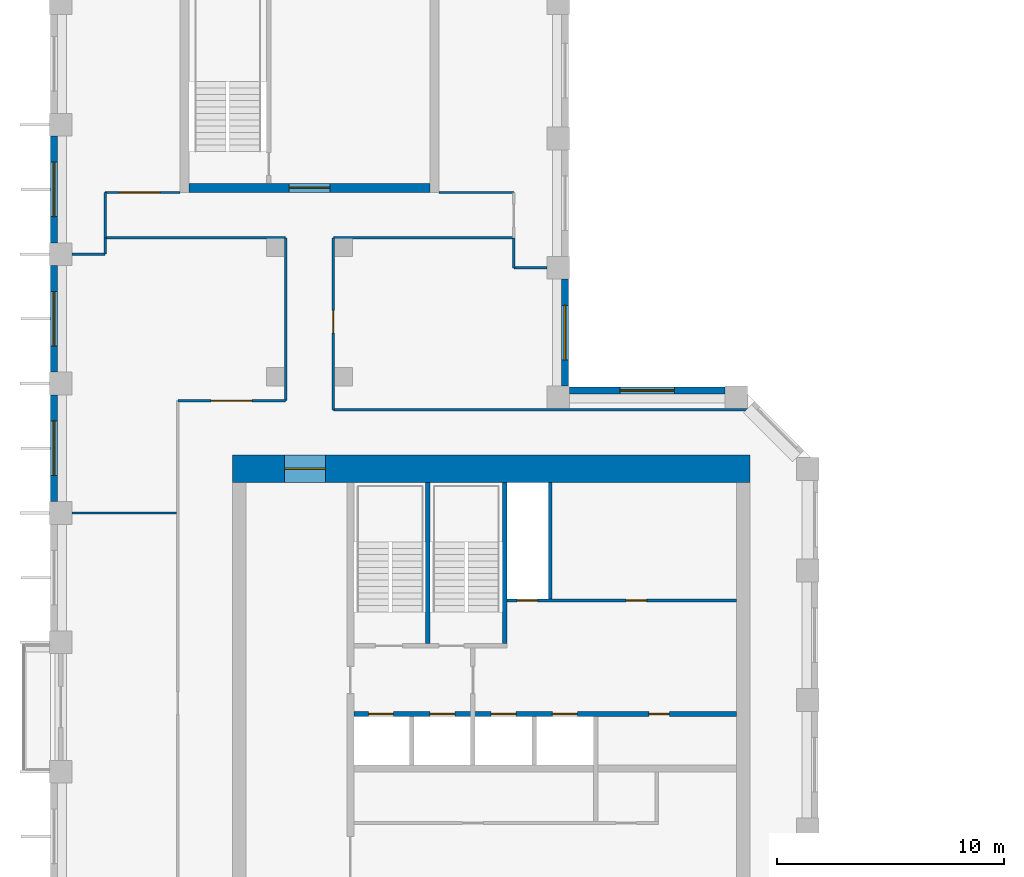
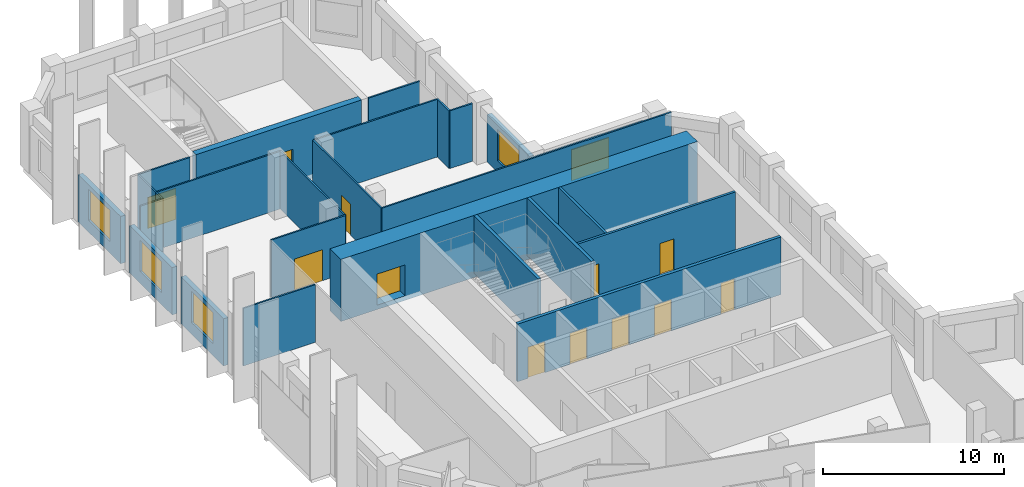
# One storey, part 6 of 9: 26 walls, 12 doors, 5 windows, 17 openings.
"""IFC4 building model written with IfcOpenShell, lengths in metres."""

import ifcopenshell
import ifcopenshell.guid

model = None  # the IFC model being written
_history = None  # IfcOwnerHistory: only IFC2X3 demands one
_inside = {}  # id of a spatial element -> (the spatial element, [elements in it])
_under = {}  # id of a project, library or spatial element -> (it, [spatial elements below it])
_declared = {}  # id of a project -> (the project, [libraries it declares])
_typed = {}  # id of a type object -> (the type object, [elements of that type])
_made_of = {}  # id of a material, layer set ... -> (it, [elements and type objects made of it])


def new_model(schema):
    """Start an empty IFC model of exactly this schema.

    Asked for "IFC4X3", IfcOpenShell would pick the latest addendum, in which some entities
    have other attributes; the version numbers below select the first issue.
    IFC2X3 requires an IfcOwnerHistory on every rooted entity: one is made here for all.
    """
    global model, _history
    if schema == "IFC4X3":
        model = ifcopenshell.file(schema_version=(4, 3, 0, 0))
    else:
        model = ifcopenshell.file(schema=schema)
    _inside.clear()
    _under.clear()
    _declared.clear()
    _typed.clear()
    _made_of.clear()
    _history = None
    if model.schema == "IFC2X3":
        org = make("IfcOrganization", Name="unknown")
        user = make(
            "IfcPersonAndOrganization",
            ThePerson=make("IfcPerson", FamilyName="unknown"),
            TheOrganization=org,
        )
        app = make(
            "IfcApplication",
            ApplicationDeveloper=org,
            Version="unknown",
            ApplicationFullName="unknown",
            ApplicationIdentifier="unknown",
        )
        _history = make(
            "IfcOwnerHistory",
            OwningUser=user,
            OwningApplication=app,
            ChangeAction="ADDED",
            CreationDate=0,
        )
    return model


def make(cls, **values):
    """One entity of the class cls with the attributes given. An attribute that is None is left unset."""
    return model.create_entity(
        cls, **{name: value for name, value in values.items() if value is not None}
    )


def rooted(cls, **values):
    """An entity with a GlobalId (a new one), such as an element, a storey or a relation."""
    return make(cls, GlobalId=ifcopenshell.guid.new(), OwnerHistory=_history, **values)


def si_unit(unit_type, name, prefix=None):
    """IfcSIUnit, for example si_unit("LENGTHUNIT", "METRE", prefix="MILLI")."""
    return make("IfcSIUnit", UnitType=unit_type, Prefix=prefix, Name=name)


def assignment(units):
    """IfcUnitAssignment: the units of a project."""
    return None if units is None else make("IfcUnitAssignment", Units=units)


def point(xyz):
    """IfcCartesianPoint."""
    return None if xyz is None else make("IfcCartesianPoint", Coordinates=xyz)


def direction(xyz):
    """IfcDirection."""
    return None if xyz is None else make("IfcDirection", DirectionRatios=xyz)


def frame(location, z_axis=None, x_axis=None):
    """IfcAxis2Placement3D, a coordinate frame: its origin and axes. An axis left out is left unset."""
    return make(
        "IfcAxis2Placement3D",
        Location=point(location),
        Axis=direction(z_axis),
        RefDirection=direction(x_axis),
    )


def frame_2d(location, x_axis=None):
    """IfcAxis2Placement2D, a coordinate frame in the plane: its origin and x axis."""
    return make(
        "IfcAxis2Placement2D", Location=point(location), RefDirection=direction(x_axis)
    )


def origin():
    """The frame at (0, 0, 0) with its axes left unset."""
    return frame((0.0, 0.0, 0.0))


def place(relative_to, where):
    """IfcLocalPlacement: puts the frame where relative to a parent placement (None: the world)."""
    return make(
        "IfcLocalPlacement", PlacementRelTo=relative_to, RelativePlacement=where
    )


def context(
    kind, dimensions, precision=None, world=None, true_north=None, identifier=None
):
    """IfcGeometricRepresentationContext, for example the 3D "Model" context."""
    return make(
        "IfcGeometricRepresentationContext",
        ContextIdentifier=identifier,
        ContextType=kind,
        CoordinateSpaceDimension=dimensions,
        Precision=precision,
        WorldCoordinateSystem=world,
        TrueNorth=true_north,
    )


def subcontext(parent, identifier, kind, view, scale=None):
    """IfcGeometricRepresentationSubContext, for example "Body" below "Model"."""
    return make(
        "IfcGeometricRepresentationSubContext",
        ContextIdentifier=identifier,
        ContextType=kind,
        ParentContext=parent,
        TargetScale=scale,
        TargetView=view,
    )


def project(units=None, contexts=None):
    """IfcProject with its units and contexts."""
    return rooted(
        "IfcProject",
        Name="project",
        RepresentationContexts=contexts,
        UnitsInContext=assignment(units),
    )


def spatial(cls, under=None, at=None, **own):
    """A site, building, storey or space (cls), placed at a placement, below another one or the project."""
    s = rooted(cls, ObjectPlacement=at, **own)
    if under is not None:
        _under.setdefault(under.id(), (under, []))[1].append(s)
    return s


def profile(cls, at=None, kind="AREA", **sizes):
    """A parametric profile (cls). Its sizes go by their IFC names, for example OverallWidth=200.0."""
    return make(cls, ProfileType=kind, Position=at, **sizes)


def rectangle(**sizes):
    """IfcRectangleProfileDef."""
    return profile("IfcRectangleProfileDef", **sizes)


def extrude(swept, where, along, depth):
    """IfcExtrudedAreaSolid: the profile swept, set in the frame where, extruded along a direction by depth."""
    return make(
        "IfcExtrudedAreaSolid",
        SweptArea=swept,
        Position=where,
        ExtrudedDirection=direction(along),
        Depth=depth,
    )


def shape(context_of_items, identifier, shape_type, items):
    """IfcShapeRepresentation: the items that make up one representation, for example the "Body"."""
    return make(
        "IfcShapeRepresentation",
        ContextOfItems=context_of_items,
        RepresentationIdentifier=identifier,
        RepresentationType=shape_type,
        Items=items,
    )


def material(Name=None, Category=None):
    """IfcMaterial."""
    return make("IfcMaterial", Name=Name, Category=Category)


def layer(
    of_material, thickness, ventilated=None, Name=None, Category=None, Priority=None
):
    """IfcMaterialLayer: one layer of a wall or slab, of a material (None: an air gap)."""
    return make(
        "IfcMaterialLayer",
        Material=of_material,
        LayerThickness=thickness,
        IsVentilated=ventilated,
        Name=Name,
        Category=Category,
        Priority=Priority,
    )


def layer_set(layers, Name=None):
    """IfcMaterialLayerSet."""
    return make("IfcMaterialLayerSet", MaterialLayers=layers, LayerSetName=Name)


def made_of(thing, what):
    """Note that an element or type object is made of a material, layer set ...; save() writes the relation."""
    if what is not None:
        _made_of.setdefault(what.id(), (what, []))[1].append(thing)
    return thing


def type_object(cls, material=None, **own):
    """A type object (cls), such as IfcWallType, which elements share."""
    return made_of(rooted(cls, **own), material)


def element(
    cls,
    number,
    at=None,
    inside=None,
    cuts=None,
    type_object=None,
    material=None,
    context=None,
    identifier="Body",
    shape_type=None,
    held_by="IfcProductDefinitionShape",
    body=None,
    shapes=None,
    **own,
):
    """One element of the class cls, such as IfcWall. Its Tag is "e" and its number.

    at: its placement. inside: the storey or other place that contains it. cuts: it is an
    opening in that element (IfcRelVoidsElement). A single representation is given by context,
    identifier, shape_type and body (its items); several are given by shapes. held_by: the class
    of the entity that holds the representations. save() writes the other relations.
    """
    e = rooted(cls, Tag="e%d" % number, ObjectPlacement=at, **own)
    if body is not None:
        shapes = [shape(context, identifier, shape_type, body)]
    if shapes is not None:
        e.Representation = make(held_by, Representations=shapes)
    if inside is not None:
        _inside.setdefault(inside.id(), (inside, []))[1].append(e)
    if cuts is not None:
        rooted(
            "IfcRelVoidsElement", RelatingBuildingElement=cuts, RelatedOpeningElement=e
        )
    if type_object is not None:
        _typed.setdefault(type_object.id(), (type_object, []))[1].append(e)
    return made_of(e, material)


def fill(opening, filler):
    """IfcRelFillsElement: the door or window that sits in an opening."""
    return rooted(
        "IfcRelFillsElement",
        RelatingOpeningElement=opening,
        RelatedBuildingElement=filler,
    )


def aggregate(whole, parts):
    """IfcRelAggregates: a whole, such as a stair, and the parts it consists of."""
    return rooted("IfcRelAggregates", RelatingObject=whole, RelatedObjects=parts)


def save(model, path):
    """Write the relations noted so far, then the file.

    IfcRelAggregates (storeys below a building ...), IfcRelContainedInSpatialStructure (elements
    in a storey), IfcRelDefinesByType, IfcRelAssociatesMaterial and IfcRelDeclares: one each for
    every whole, place, type object, material and project.
    """
    for whole, parts in _under.values():
        aggregate(whole, parts)
    for where, things in _inside.values():
        rooted(
            "IfcRelContainedInSpatialStructure",
            RelatedElements=things,
            RelatingStructure=where,
        )
    for kind, things in _typed.values():
        rooted("IfcRelDefinesByType", RelatedObjects=things, RelatingType=kind)
    for what, things in _made_of.values():
        rooted("IfcRelAssociatesMaterial", RelatedObjects=things, RelatingMaterial=what)
    for by, libraries in _declared.values():
        rooted("IfcRelDeclares", RelatingContext=by, RelatedDefinitions=libraries)
    model.write(path)


model = new_model("IFC4")

# Units and contexts
model_context = context("Model", 3, precision=1e-05, world=origin(), true_north=direction((0.0, 1.0)))
body_context = subcontext(model_context, "Body", "Model", "MODEL_VIEW")
ifc_project = project(units=[si_unit("LENGTHUNIT", "METRE"), si_unit("AREAUNIT", "SQUARE_METRE"), si_unit("VOLUMEUNIT", "CUBIC_METRE"), si_unit("PLANEANGLEUNIT", "RADIAN"), si_unit("MASSUNIT", "GRAM", prefix="KILO")], contexts=[model_context])

# Site, building, storey
site_placement = place(None, origin())
site = spatial("IfcSite", under=ifc_project, at=site_placement, CompositionType="ELEMENT")
building_placement = place(site_placement, origin())
building = spatial("IfcBuilding", under=site, at=building_placement, Name="Meshkara Civic Tower", CompositionType="ELEMENT")
storey_placement = place(building_placement, frame((0.0, 0.0, 340.199951171875)))
storey = spatial("IfcBuildingStorey", under=building, at=storey_placement, Name="L78", CompositionType="ELEMENT", Elevation=340.199951171875)

# Wall, openings, doors
ifc_material_1 = material(Name="Blockwork", Category="masonry")
ifc_layer_1 = layer(ifc_material_1, 0.14990234375)
ifc_layer_set_1 = layer_set([ifc_layer_1], Name="Core partition 150")
wall_type_1 = type_object("IfcWallType", Name="Core partition 150", PredefinedType="PARTITIONING", material=ifc_layer_set_1)
wall_1_placement = place(storey_placement, frame((20.10009765625, 30.5, 0.0), z_axis=(0.0, 0.0, 1.0), x_axis=(1.0, 0.0, 0.0)))
wall_1 = element("IfcWall", 1, at=wall_1_placement, inside=storey, type_object=wall_type_1, Name="L78-C010", PredefinedType="PARTITIONING", context=body_context, shape_type="SweptSolid", body=[
    extrude(rectangle(XDim=10.099853515625, YDim=0.14990234375, at=frame_2d((5.0498046875, 0.0))), origin(), (0.0, 0.0, 1.0), 3.900146484375),
])
opening_1_placement = place(wall_1_placement, frame((0.449951171875, 0.0, 0.0)))
opening_1 = element("IfcOpeningElement", 2, at=opening_1_placement, cuts=wall_1, Name="Opening L78-K014", PredefinedType="OPENING", context=body_context, shape_type="SweptSolid", body=[
    extrude(rectangle(XDim=0.89990234375, YDim=2.10009765625, at=frame_2d((0.449951171875, 1.050048828125))), frame((0.0, 0.0849609375, 0.0), z_axis=(0.0, -1.0, 0.0), x_axis=(1.0, 0.0, 0.0)), (0.0, 0.0, 1.0), 0.169921875),
])
opening_2_placement = place(wall_1_placement, frame((5.25, 0.0, 0.0)))
opening_2 = element("IfcOpeningElement", 3, at=opening_2_placement, cuts=wall_1, Name="Opening L78-K015", PredefinedType="OPENING", context=body_context, shape_type="SweptSolid", body=[
    extrude(rectangle(XDim=0.89990234375, YDim=2.10009765625, at=frame_2d((0.449951171875, 1.050048828125))), frame((0.0, 0.0849609375, 0.0), z_axis=(0.0, -1.0, 0.0), x_axis=(1.0, 0.0, 0.0)), (0.0, 0.0, 1.0), 0.169921875),
])
ifc_material_2 = material(Name="Timber door leaf in steel frame", Category="steel")
door_type_1 = type_object("IfcDoorType", Name="Core room door 900", OperationType="SINGLE_SWING_LEFT", PredefinedType="DOOR", material=ifc_material_2)
door_1_placement = place(opening_2_placement, origin())
door_1 = element("IfcDoor", 4, at=door_1_placement, inside=storey, type_object=door_type_1, Name="L78-K015", OperationType="SINGLE_SWING_LEFT", OverallHeight=2.10009765625, OverallWidth=0.89990234375, PredefinedType="DOOR", context=body_context, shape_type="SweptSolid", body=[
    extrude(rectangle(XDim=0.89990234375, YDim=2.10009765625, at=frame_2d((0.449951171875, 1.050048828125))), frame((0.0, 0.02490234375, 0.0), z_axis=(0.0, -1.0, 0.0), x_axis=(1.0, 0.0, 0.0)), (0.0, 0.0, 1.0), 0.050048828125),
])
fill(opening_2, door_1)
ifc_material_3 = material(Name="Fire-rated door leaf in steel frame", Category="steel")
door_type_2 = type_object("IfcDoorType", Name="Riser door 900", OperationType="SINGLE_SWING_LEFT", PredefinedType="DOOR", material=ifc_material_3)
door_2_placement = place(opening_1_placement, origin())
door_2 = element("IfcDoor", 5, at=door_2_placement, inside=storey, type_object=door_type_2, Name="L78-K014", OperationType="SINGLE_SWING_RIGHT", OverallHeight=2.10009765625, OverallWidth=0.89990234375, PredefinedType="DOOR", context=body_context, shape_type="SweptSolid", body=[
    extrude(rectangle(XDim=0.89990234375, YDim=2.10009765625, at=frame_2d((0.449951171875, 1.050048828125))), frame((0.0, 0.02490234375, 0.0), z_axis=(0.0, -1.0, 0.0), x_axis=(1.0, 0.0, 0.0)), (0.0, 0.0, 1.0), 0.050048828125),
])
fill(opening_1, door_2)

# Wall
wall_2_placement = place(storey_placement, frame((22.0, 30.574951171875, 0.0), z_axis=(0.0, 0.0, 1.0), x_axis=(0.0, 1.0, 0.0)))
element("IfcWall", 6, at=wall_2_placement, inside=storey, type_object=wall_type_1, Name="L78-C020", PredefinedType="PARTITIONING", context=body_context, shape_type="SweptSolid", body=[
    extrude(rectangle(XDim=5.125, YDim=0.14990234375, at=frame_2d((2.5625, 0.0))), origin(), (0.0, 0.0, 1.0), 3.900146484375),
])

# Wall, opening, door
ifc_material_4 = material(Name="Concrete C60", Category="concrete")
ifc_layer_2 = layer(ifc_material_4, 1.199951171875)
ifc_layer_set_2 = layer_set([ifc_layer_2], Name="Core ring wall 1200 C60")
wall_type_2 = type_object("IfcWallType", Name="Core ring wall 1200 C60", PredefinedType="SHEAR", material=ifc_layer_set_2)
wall_3_placement = place(storey_placement, frame((8.0, 36.300048828125, -0.300048828125), z_axis=(0.0, 0.0, 1.0), x_axis=(1.0, 0.0, 0.0)))
wall_3 = element("IfcWall", 7, at=wall_3_placement, inside=storey, type_object=wall_type_2, Name="L78-C002", PredefinedType="SHEAR", context=body_context, shape_type="SweptSolid", body=[
    extrude(rectangle(XDim=22.800048828125, YDim=1.199951171875, at=frame_2d((11.39990234375, 0.0))), origin(), (0.0, 0.0, 1.0), 4.2001953125),
])
opening_3_placement = place(wall_3_placement, frame((2.300048828125, 0.0, 0.300048828125)))
opening_3 = element("IfcOpeningElement", 8, at=opening_3_placement, cuts=wall_3, Name="Opening L78-K021", PredefinedType="OPENING", context=body_context, shape_type="SweptSolid", body=[
    extrude(rectangle(XDim=1.800048828125, YDim=2.10009765625, at=frame_2d((0.89990234375, 1.050048828125))), frame((0.0, 0.60986328125, 0.0), z_axis=(0.0, -1.0, 0.0), x_axis=(1.0, 0.0, 0.0)), (0.0, 0.0, 1.0), 1.219970703125),
])
ifc_material_5 = material(Name="Fire-rated door leaf in steel frame", Category="steel")
door_type_3 = type_object("IfcDoorType", Name="Core double door 1800 EI 60", OperationType="DOUBLE_DOOR_SINGLE_SWING", PredefinedType="DOOR", material=ifc_material_5)
door_3_placement = place(opening_3_placement, origin())
door_3 = element("IfcDoor", 9, at=door_3_placement, inside=storey, type_object=door_type_3, Name="L78-K021", OperationType="DOUBLE_DOOR_SINGLE_SWING", OverallHeight=2.10009765625, OverallWidth=1.800048828125, PredefinedType="DOOR", context=body_context, shape_type="SweptSolid", body=[
    extrude(rectangle(XDim=1.800048828125, YDim=2.10009765625, at=frame_2d((0.89990234375, 1.050048828125))), frame((0.0, 0.02490234375, 0.0), z_axis=(0.0, -1.0, 0.0), x_axis=(1.0, 0.0, 0.0)), (0.0, 0.0, 1.0), 0.050048828125),
])
fill(opening_3, door_3)

# Walls
ifc_material_6 = material(Name="Corridor wall 100")
ifc_layer_3 = layer(ifc_material_6, 0.10009765625)
ifc_layer_set_3 = layer_set([ifc_layer_3], Name="Corridor wall 100")
wall_type_3 = type_object("IfcWallType", Name="Corridor wall 100", PredefinedType="PARTITIONING", material=ifc_layer_set_3)
wall_4_placement = place(storey_placement, frame((2.39990234375, 46.469970703125, 0.0), z_axis=(0.0, 0.0, 1.0), x_axis=(1.0, 0.0, 0.0)))
element("IfcWall", 10, at=wall_4_placement, inside=storey, type_object=wall_type_3, Name="L78-W001", PredefinedType="PARTITIONING", context=body_context, shape_type="SweptSolid", body=[
    extrude(rectangle(XDim=7.9501953125, YDim=0.10009765625, at=frame_2d((3.97509765625, 0.0))), origin(), (0.0, 0.0, 1.0), 3.900146484375),
])
wall_5_placement = place(storey_placement, frame((2.39990234375, 48.469970703125, 0.0), z_axis=(0.0, 0.0, 1.0), x_axis=(0.0, -1.0, 0.0)))
element("IfcWall", 11, at=wall_5_placement, inside=storey, type_object=wall_type_3, Name="L78-W002", PredefinedType="PARTITIONING", context=body_context, shape_type="SweptSolid", body=[
    extrude(rectangle(XDim=2.0, YDim=0.10009765625, at=frame_2d((1.0, 0.0))), origin(), (0.0, 0.0, 1.0), 3.900146484375),
])

# Wall, opening, door
wall_6_placement = place(storey_placement, frame((5.699951171875, 48.469970703125, 0.0), z_axis=(0.0, 0.0, 1.0), x_axis=(-1.0, 0.0, 0.0)))
wall_6 = element("IfcWall", 12, at=wall_6_placement, inside=storey, type_object=wall_type_3, Name="L78-W005", PredefinedType="PARTITIONING", context=body_context, shape_type="SweptSolid", body=[
    extrude(rectangle(XDim=3.300048828125, YDim=0.10009765625, at=frame_2d((1.64990234375, 0.0))), origin(), (0.0, 0.0, 1.0), 3.900146484375),
])
opening_4_placement = place(wall_6_placement, frame((0.8798828125, 0.0, 0.0)))
opening_4 = element("IfcOpeningElement", 13, at=opening_4_placement, cuts=wall_6, Name="Opening L78-D018", PredefinedType="OPENING", context=body_context, shape_type="SweptSolid", body=[
    extrude(rectangle(XDim=1.800048828125, YDim=2.10009765625, at=frame_2d((0.89990234375, 1.050048828125))), frame((0.0, 0.06005859375, 0.0), z_axis=(0.0, -1.0, 0.0), x_axis=(1.0, 0.0, 0.0)), (0.0, 0.0, 1.0), 0.1201171875),
])
ifc_material_7 = material(Name="Door pair 1800 x 2100")
door_type_4 = type_object("IfcDoorType", Name="Door pair 1800 x 2100", OperationType="SINGLE_SWING_LEFT", PredefinedType="DOOR", material=ifc_material_7)
door_4_placement = place(opening_4_placement, origin())
door_4 = element("IfcDoor", 14, at=door_4_placement, inside=storey, type_object=door_type_4, Name="L78-D018", OperationType="DOUBLE_DOOR_SINGLE_SWING", OverallHeight=2.10009765625, OverallWidth=1.800048828125, PredefinedType="DOOR", context=body_context, shape_type="SweptSolid", body=[
    extrude(rectangle(XDim=1.800048828125, YDim=2.10009765625, at=frame_2d((0.89990234375, 1.050048828125))), frame((0.0, 0.02490234375, 0.0), z_axis=(0.0, -1.0, 0.0), x_axis=(1.0, 0.0, 0.0)), (0.0, 0.0, 1.0), 0.050048828125),
])
fill(opening_4, door_4)

wall_7_placement = place(storey_placement, frame((10.35009765625, 39.300048828125, 0.0), z_axis=(0.0, 0.0, 1.0), x_axis=(-1.0, 0.0, 0.0)))
wall_7 = element("IfcWall", 15, at=wall_7_placement, inside=storey, type_object=wall_type_3, Name="L78-W011", PredefinedType="PARTITIONING", context=body_context, shape_type="SweptSolid", body=[
    extrude(rectangle(XDim=4.75, YDim=0.10009765625, at=frame_2d((2.375, 0.0))), origin(), (0.0, 0.0, 1.0), 3.900146484375),
])
opening_5_placement = place(wall_7_placement, frame((1.47998046875, 0.0, 0.0)))
opening_5 = element("IfcOpeningElement", 16, at=opening_5_placement, cuts=wall_7, Name="Opening L78-D015", PredefinedType="OPENING", context=body_context, shape_type="SweptSolid", body=[
    extrude(rectangle(XDim=1.800048828125, YDim=2.10009765625, at=frame_2d((0.89990234375, 1.050048828125))), frame((0.0, 0.06005859375, 0.0), z_axis=(0.0, -1.0, 0.0), x_axis=(1.0, 0.0, 0.0)), (0.0, 0.0, 1.0), 0.1201171875),
])
door_5_placement = place(opening_5_placement, origin())
door_5 = element("IfcDoor", 17, at=door_5_placement, inside=storey, type_object=door_type_4, Name="L78-D015", OperationType="DOUBLE_DOOR_SINGLE_SWING", OverallHeight=2.10009765625, OverallWidth=1.800048828125, PredefinedType="DOOR", context=body_context, shape_type="SweptSolid", body=[
    extrude(rectangle(XDim=1.800048828125, YDim=2.10009765625, at=frame_2d((0.89990234375, 1.050048828125))), frame((0.0, 0.02490234375, 0.0), z_axis=(0.0, -1.0, 0.0), x_axis=(1.0, 0.0, 0.0)), (0.0, 0.0, 1.0), 0.050048828125),
])
fill(opening_5, door_5)

# Wall
wall_8_placement = place(storey_placement, frame((10.35009765625, 46.469970703125, 0.0), z_axis=(0.0, 0.0, 1.0), x_axis=(0.0, -1.0, 0.0)))
element("IfcWall", 18, at=wall_8_placement, inside=storey, type_object=wall_type_3, Name="L78-W012", PredefinedType="PARTITIONING", context=body_context, shape_type="SweptSolid", body=[
    extrude(rectangle(XDim=7.169921875, YDim=0.10009765625, at=frame_2d((3.5849609375, 0.0))), origin(), (0.0, 0.0, 1.0), 3.900146484375),
])

# Wall, opening, door
wall_9_placement = place(storey_placement, frame((12.449951171875, 38.89990234375, 0.0), z_axis=(0.0, 0.0, 1.0), x_axis=(0.0, 1.0, 0.0)))
wall_9 = element("IfcWall", 19, at=wall_9_placement, inside=storey, type_object=wall_type_3, Name="L78-W013", PredefinedType="PARTITIONING", context=body_context, shape_type="SweptSolid", body=[
    extrude(rectangle(XDim=7.570068359375, YDim=0.10009765625, at=frame_2d((3.78515625, 0.0))), origin(), (0.0, 0.0, 1.0), 3.900146484375),
])
opening_6_placement = place(wall_9_placement, frame((3.3798828125, 0.0, 0.0)))
opening_6 = element("IfcOpeningElement", 20, at=opening_6_placement, cuts=wall_9, Name="Opening L78-D016", PredefinedType="OPENING", context=body_context, shape_type="SweptSolid", body=[
    extrude(rectangle(XDim=1.0, YDim=2.10009765625, at=frame_2d((0.5, 1.050048828125))), frame((0.0, 0.06005859375, 0.0), z_axis=(0.0, -1.0, 0.0), x_axis=(1.0, 0.0, 0.0)), (0.0, 0.0, 1.0), 0.1201171875),
])
ifc_material_8 = material(Name="Door 1000 x 2100")
door_type_5 = type_object("IfcDoorType", Name="Door 1000 x 2100", OperationType="SINGLE_SWING_LEFT", PredefinedType="DOOR", material=ifc_material_8)
door_6_placement = place(opening_6_placement, origin())
door_6 = element("IfcDoor", 21, at=door_6_placement, inside=storey, type_object=door_type_5, Name="L78-D016", OperationType="SINGLE_SWING_LEFT", OverallHeight=2.10009765625, OverallWidth=1.0, PredefinedType="DOOR", context=body_context, shape_type="SweptSolid", body=[
    extrude(rectangle(XDim=1.0, YDim=2.10009765625, at=frame_2d((0.5, 1.050048828125))), frame((0.0, 0.02490234375, 0.0), z_axis=(0.0, -1.0, 0.0), x_axis=(1.0, 0.0, 0.0)), (0.0, 0.0, 1.0), 0.050048828125),
])
fill(opening_6, door_6)

# Walls
wall_10_placement = place(storey_placement, frame((12.449951171875, 46.469970703125, 0.0), z_axis=(0.0, 0.0, 1.0), x_axis=(1.0, 0.0, 0.0)))
element("IfcWall", 22, at=wall_10_placement, inside=storey, type_object=wall_type_3, Name="L78-W014", PredefinedType="PARTITIONING", context=body_context, shape_type="SweptSolid", body=[
    extrude(rectangle(XDim=7.949951171875, YDim=0.10009765625, at=frame_2d((3.97509765625, 0.0))), origin(), (0.0, 0.0, 1.0), 3.900146484375),
])
wall_11_placement = place(storey_placement, frame((20.39990234375, 48.469970703125, 0.0), z_axis=(0.0, 0.0, 1.0), x_axis=(-1.0, 0.0, 0.0)))
element("IfcWall", 23, at=wall_11_placement, inside=storey, type_object=wall_type_3, Name="L78-W019", PredefinedType="PARTITIONING", context=body_context, shape_type="SweptSolid", body=[
    extrude(rectangle(XDim=3.2998046875, YDim=0.10009765625, at=frame_2d((1.64990234375, 0.0))), origin(), (0.0, 0.0, 1.0), 3.900146484375),
])
wall_12_placement = place(storey_placement, frame((30.9560546875, 38.89990234375, 0.0), z_axis=(0.0, 0.0, 1.0), x_axis=(-1.0, 0.0, 0.0)))
element("IfcWall", 24, at=wall_12_placement, inside=storey, type_object=wall_type_3, Name="L78-W023", PredefinedType="PARTITIONING", context=body_context, shape_type="SweptSolid", body=[
    extrude(rectangle(XDim=18.506103515625, YDim=0.10009765625, at=frame_2d((9.2529296875, 0.0))), origin(), (0.0, 0.0, 1.0), 3.900146484375),
])

# Wall, opening, window
ifc_material_9 = material(Name="Insulated infill panel with bronze anodised aluminium cladding", Category="aluminium")
ifc_layer_4 = layer(ifc_material_9, 0.300048828125)
ifc_layer_set_4 = layer_set([ifc_layer_4], Name="EXTERNAL INFILL WALL 300")
wall_type_4 = type_object("IfcWallType", Name="EXTERNAL INFILL WALL 300", PredefinedType="SOLIDWALL", material=ifc_layer_set_4)
wall_13_placement = place(storey_placement, frame((29.694091796875, 39.75, 0.0), z_axis=(0.0, 0.0, 1.0), x_axis=(-1.0, 0.0, 0.0)))
wall_13 = element("IfcWall", 25, at=wall_13_placement, inside=storey, type_object=wall_type_4, Name="External wall", PredefinedType="SOLIDWALL", context=body_context, shape_type="SweptSolid", body=[
    extrude(rectangle(XDim=6.843994140625, YDim=0.300048828125, at=frame_2d((3.421875, 0.0))), origin(), (0.0, 0.0, 1.0), 3.199951171875),
])
opening_7_placement = place(wall_13_placement, frame((2.221923828125, 0.0, 0.800048828125)))
opening_7 = element("IfcOpeningElement", 26, at=opening_7_placement, cuts=wall_13, Name="Opening W7", PredefinedType="OPENING", context=body_context, shape_type="SweptSolid", body=[
    extrude(rectangle(XDim=2.39990234375, YDim=2.10009765625, at=frame_2d((1.199951171875, 1.050048828125))), frame((0.0, 0.159912109375, 0.0), z_axis=(0.0, -1.0, 0.0), x_axis=(1.0, 0.0, 0.0)), (0.0, 0.0, 1.0), 0.320068359375),
])
ifc_material_10 = material(Name="Tinted double glazing", Category="glass")
window_type = type_object("IfcWindowType", Name="WINDOW 2400x2100", PartitioningType="DOUBLE_PANEL_VERTICAL", PredefinedType="WINDOW", material=ifc_material_10)
window_1_placement = place(opening_7_placement, origin())
window_1 = element("IfcWindow", 27, at=window_1_placement, inside=storey, type_object=window_type, Name="Window", OverallHeight=2.10009765625, OverallWidth=2.39990234375, PartitioningType="DOUBLE_PANEL_VERTICAL", PredefinedType="WINDOW", context=body_context, shape_type="SweptSolid", body=[
    extrude(rectangle(XDim=2.39990234375, YDim=2.10009765625, at=frame_2d((1.199951171875, 1.050048828125))), frame((0.0, 0.030029296875, 0.0), z_axis=(0.0, -1.0, 0.0), x_axis=(1.0, 0.0, 0.0)), (0.0, 0.0, 1.0), 0.06005859375),
])
fill(opening_7, window_1)

wall_14_placement = place(storey_placement, frame((22.64990234375, 39.949951171875, 0.0), z_axis=(0.0, 0.0, 1.0), x_axis=(0.0, 1.0, 0.0)))
wall_14 = element("IfcWall", 28, at=wall_14_placement, inside=storey, type_object=wall_type_4, Name="External wall", PredefinedType="SOLIDWALL", context=body_context, shape_type="SweptSolid", body=[
    extrude(rectangle(XDim=4.699951171875, YDim=0.300048828125, at=frame_2d((2.35009765625, 0.0))), origin(), (0.0, 0.0, 1.0), 3.199951171875),
])
opening_8_placement = place(wall_14_placement, frame((1.14990234375, 0.0, 0.800048828125)))
opening_8 = element("IfcOpeningElement", 29, at=opening_8_placement, cuts=wall_14, Name="Opening W7", PredefinedType="OPENING", context=body_context, shape_type="SweptSolid", body=[
    extrude(rectangle(XDim=2.39990234375, YDim=2.10009765625, at=frame_2d((1.199951171875, 1.050048828125))), frame((0.0, 0.159912109375, 0.0), z_axis=(0.0, -1.0, 0.0), x_axis=(1.0, 0.0, 0.0)), (0.0, 0.0, 1.0), 0.320068359375),
])
window_2_placement = place(opening_8_placement, origin())
window_2 = element("IfcWindow", 30, at=window_2_placement, inside=storey, type_object=window_type, Name="Window", OverallHeight=2.10009765625, OverallWidth=2.39990234375, PartitioningType="DOUBLE_PANEL_VERTICAL", PredefinedType="WINDOW", context=body_context, shape_type="SweptSolid", body=[
    extrude(rectangle(XDim=2.39990234375, YDim=2.10009765625, at=frame_2d((1.199951171875, 1.050048828125))), frame((0.0, 0.030029296875, 0.0), z_axis=(0.0, -1.0, 0.0), x_axis=(1.0, 0.0, 0.0)), (0.0, 0.0, 1.0), 0.06005859375),
])
fill(opening_8, window_2)

wall_15_placement = place(storey_placement, frame((0.14990234375, 50.955078125, 0.0), z_axis=(0.0, 0.0, 1.0), x_axis=(0.0, -1.0, 0.0)))
wall_15 = element("IfcWall", 31, at=wall_15_placement, inside=storey, type_object=wall_type_4, Name="External wall", PredefinedType="SOLIDWALL", context=body_context, shape_type="SweptSolid", body=[
    extrude(rectangle(XDim=4.7001953125, YDim=0.300048828125, at=frame_2d((2.35009765625, 0.0))), origin(), (0.0, 0.0, 1.0), 3.199951171875),
])
opening_9_placement = place(wall_15_placement, frame((1.14990234375, 0.0, 0.800048828125)))
opening_9 = element("IfcOpeningElement", 32, at=opening_9_placement, cuts=wall_15, Name="Opening W7", PredefinedType="OPENING", context=body_context, shape_type="SweptSolid", body=[
    extrude(rectangle(XDim=2.39990234375, YDim=2.10009765625, at=frame_2d((1.199951171875, 1.050048828125))), frame((0.0, 0.159912109375, 0.0), z_axis=(0.0, -1.0, 0.0), x_axis=(1.0, 0.0, 0.0)), (0.0, 0.0, 1.0), 0.320068359375),
])
window_3_placement = place(opening_9_placement, origin())
window_3 = element("IfcWindow", 33, at=window_3_placement, inside=storey, type_object=window_type, Name="Window", OverallHeight=2.10009765625, OverallWidth=2.39990234375, PartitioningType="DOUBLE_PANEL_VERTICAL", PredefinedType="WINDOW", context=body_context, shape_type="SweptSolid", body=[
    extrude(rectangle(XDim=2.39990234375, YDim=2.10009765625, at=frame_2d((1.199951171875, 1.050048828125))), frame((0.0, 0.030029296875, 0.0), z_axis=(0.0, -1.0, 0.0), x_axis=(1.0, 0.0, 0.0)), (0.0, 0.0, 1.0), 0.06005859375),
])
fill(opening_9, window_3)

wall_16_placement = place(storey_placement, frame((0.14990234375, 45.2548828125, 0.0), z_axis=(0.0, 0.0, 1.0), x_axis=(0.0, -1.0, 0.0)))
wall_16 = element("IfcWall", 34, at=wall_16_placement, inside=storey, type_object=wall_type_4, Name="External wall", PredefinedType="SOLIDWALL", context=body_context, shape_type="SweptSolid", body=[
    extrude(rectangle(XDim=4.699951171875, YDim=0.300048828125, at=frame_2d((2.35009765625, 0.0))), origin(), (0.0, 0.0, 1.0), 3.199951171875),
])
opening_10_placement = place(wall_16_placement, frame((1.14990234375, 0.0, 0.800048828125)))
opening_10 = element("IfcOpeningElement", 35, at=opening_10_placement, cuts=wall_16, Name="Opening W7", PredefinedType="OPENING", context=body_context, shape_type="SweptSolid", body=[
    extrude(rectangle(XDim=2.39990234375, YDim=2.10009765625, at=frame_2d((1.199951171875, 1.050048828125))), frame((0.0, 0.159912109375, 0.0), z_axis=(0.0, -1.0, 0.0), x_axis=(1.0, 0.0, 0.0)), (0.0, 0.0, 1.0), 0.320068359375),
])
window_4_placement = place(opening_10_placement, origin())
window_4 = element("IfcWindow", 36, at=window_4_placement, inside=storey, type_object=window_type, Name="Window", OverallHeight=2.10009765625, OverallWidth=2.39990234375, PartitioningType="DOUBLE_PANEL_VERTICAL", PredefinedType="WINDOW", context=body_context, shape_type="SweptSolid", body=[
    extrude(rectangle(XDim=2.39990234375, YDim=2.10009765625, at=frame_2d((1.199951171875, 1.050048828125))), frame((0.0, 0.030029296875, 0.0), z_axis=(0.0, -1.0, 0.0), x_axis=(1.0, 0.0, 0.0)), (0.0, 0.0, 1.0), 0.06005859375),
])
fill(opening_10, window_4)

wall_17_placement = place(storey_placement, frame((0.14990234375, 39.554931640625, 0.0), z_axis=(0.0, 0.0, 1.0), x_axis=(0.0, -1.0, 0.0)))
wall_17 = element("IfcWall", 37, at=wall_17_placement, inside=storey, type_object=wall_type_4, Name="External wall", PredefinedType="SOLIDWALL", context=body_context, shape_type="SweptSolid", body=[
    extrude(rectangle(XDim=4.699951171875, YDim=0.300048828125, at=frame_2d((2.35009765625, 0.0))), origin(), (0.0, 0.0, 1.0), 3.199951171875),
])
opening_11_placement = place(wall_17_placement, frame((1.14990234375, 0.0, 0.800048828125)))
opening_11 = element("IfcOpeningElement", 38, at=opening_11_placement, cuts=wall_17, Name="Opening W7", PredefinedType="OPENING", context=body_context, shape_type="SweptSolid", body=[
    extrude(rectangle(XDim=2.39990234375, YDim=2.10009765625, at=frame_2d((1.199951171875, 1.050048828125))), frame((0.0, 0.159912109375, 0.0), z_axis=(0.0, -1.0, 0.0), x_axis=(1.0, 0.0, 0.0)), (0.0, 0.0, 1.0), 0.320068359375),
])
window_5_placement = place(opening_11_placement, origin())
window_5 = element("IfcWindow", 39, at=window_5_placement, inside=storey, type_object=window_type, Name="Window", OverallHeight=2.10009765625, OverallWidth=2.39990234375, PartitioningType="DOUBLE_PANEL_VERTICAL", PredefinedType="WINDOW", context=body_context, shape_type="SweptSolid", body=[
    extrude(rectangle(XDim=2.39990234375, YDim=2.10009765625, at=frame_2d((1.199951171875, 1.050048828125))), frame((0.0, 0.030029296875, 0.0), z_axis=(0.0, -1.0, 0.0), x_axis=(1.0, 0.0, 0.0)), (0.0, 0.0, 1.0), 0.06005859375),
])
fill(opening_11, window_5)

# Wall, opening, door
ifc_material_11 = material(Name="Concrete C60", Category="concrete")
ifc_layer_5 = layer(ifc_material_11, 0.39990234375)
ifc_layer_set_5 = layer_set([ifc_layer_5], Name="End core ring wall 400 C60")
wall_type_5 = type_object("IfcWallType", Name="End core ring wall 400 C60", PredefinedType="SHEAR", material=ifc_layer_set_5)
wall_18_placement = place(storey_placement, frame((6.10009765625, 48.669921875, -0.300048828125), z_axis=(0.0, 0.0, 1.0), x_axis=(1.0, 0.0, 0.0)))
wall_18 = element("IfcWall", 40, at=wall_18_placement, inside=storey, type_object=wall_type_5, Name="L78-C028", PredefinedType="SHEAR", context=body_context, shape_type="SweptSolid", body=[
    extrude(rectangle(XDim=10.599853515625, YDim=0.39990234375, at=frame_2d((5.2998046875, 0.0))), origin(), (0.0, 0.0, 1.0), 4.2001953125),
])
opening_12_placement = place(wall_18_placement, frame((4.39990234375, 0.0, 0.300048828125)))
opening_12 = element("IfcOpeningElement", 41, at=opening_12_placement, cuts=wall_18, Name="Opening L78-K102", PredefinedType="OPENING", context=body_context, shape_type="SweptSolid", body=[
    extrude(rectangle(XDim=1.800048828125, YDim=2.10009765625, at=frame_2d((0.89990234375, 1.050048828125))), frame((0.0, 0.2099609375, 0.0), z_axis=(0.0, -1.0, 0.0), x_axis=(1.0, 0.0, 0.0)), (0.0, 0.0, 1.0), 0.419921875),
])
door_7_placement = place(opening_12_placement, origin())
door_7 = element("IfcDoor", 42, at=door_7_placement, inside=storey, type_object=door_type_3, Name="L78-K102", OperationType="DOUBLE_DOOR_SINGLE_SWING", OverallHeight=2.10009765625, OverallWidth=1.800048828125, PredefinedType="DOOR", context=body_context, shape_type="SweptSolid", body=[
    extrude(rectangle(XDim=1.800048828125, YDim=2.10009765625, at=frame_2d((0.89990234375, 1.050048828125))), frame((0.0, 0.02490234375, 0.0), z_axis=(0.0, -1.0, 0.0), x_axis=(1.0, 0.0, 0.0)), (0.0, 0.0, 1.0), 0.050048828125),
])
fill(opening_12, door_7)

# Walls
ifc_material_12 = material(Name="Partition 100")
ifc_layer_6 = layer(ifc_material_12, 0.10009765625)
ifc_layer_set_6 = layer_set([ifc_layer_6], Name="Partition 100")
wall_type_6 = type_object("IfcWallType", Name="Partition 100", PredefinedType="PARTITIONING", material=ifc_layer_set_6)
wall_19_placement = place(storey_placement, frame((2.39990234375, 45.7548828125, 0.0), z_axis=(0.0, 0.0, 1.0), x_axis=(-1.0, 0.0, 0.0)))
element("IfcWall", 43, at=wall_19_placement, inside=storey, type_object=wall_type_6, Name="L78-W038", PredefinedType="PARTITIONING", context=body_context, shape_type="SweptSolid", body=[
    extrude(rectangle(XDim=1.449951171875, YDim=0.10009765625, at=frame_2d((0.72509765625, 0.0))), origin(), (0.0, 0.0, 1.0), 3.900146484375),
])
wall_20_placement = place(storey_placement, frame((2.39990234375, 46.47412109375, 0.0), z_axis=(0.0, 0.0, 1.0), x_axis=(0.0, -1.0, 0.0)))
element("IfcWall", 44, at=wall_20_placement, inside=storey, type_object=wall_type_6, Name="L78-W039", PredefinedType="PARTITIONING", context=body_context, shape_type="SweptSolid", body=[
    extrude(rectangle(XDim=0.71923828125, YDim=0.10009765625, at=frame_2d((0.359619140625, 0.0))), origin(), (0.0, 0.0, 1.0), 3.900146484375),
])
wall_21_placement = place(storey_placement, frame((5.550048828125, 34.35498046875, 0.0), z_axis=(0.0, 0.0, 1.0), x_axis=(-1.0, 0.0, 0.0)))
element("IfcWall", 45, at=wall_21_placement, inside=storey, type_object=wall_type_6, Name="L78-W041", PredefinedType="PARTITIONING", context=body_context, shape_type="SweptSolid", body=[
    extrude(rectangle(XDim=4.60009765625, YDim=0.10009765625, at=frame_2d((2.300048828125, 0.0))), origin(), (0.0, 0.0, 1.0), 3.900146484375),
])
wall_22_placement = place(storey_placement, frame((20.39990234375, 45.14990234375, 0.0), z_axis=(0.0, 0.0, 1.0), x_axis=(0.0, 1.0, 0.0)))
element("IfcWall", 46, at=wall_22_placement, inside=storey, type_object=wall_type_6, Name="L78-W049", PredefinedType="PARTITIONING", context=body_context, shape_type="SweptSolid", body=[
    extrude(rectangle(XDim=1.32421875, YDim=0.10009765625, at=frame_2d((0.662109375, 0.0))), origin(), (0.0, 0.0, 1.0), 3.900146484375),
])
wall_23_placement = place(storey_placement, frame((21.85009765625, 45.14990234375, 0.0), z_axis=(0.0, 0.0, 1.0), x_axis=(-1.0, 0.0, 0.0)))
element("IfcWall", 47, at=wall_23_placement, inside=storey, type_object=wall_type_6, Name="L78-W050", PredefinedType="PARTITIONING", context=body_context, shape_type="SweptSolid", body=[
    extrude(rectangle(XDim=1.4501953125, YDim=0.10009765625, at=frame_2d((0.72509765625, 0.0))), origin(), (0.0, 0.0, 1.0), 3.900146484375),
])

# Wall, openings, doors
ifc_material_13 = material(Name="Concrete C40/50", Category="concrete")
ifc_layer_7 = layer(ifc_material_13, 0.199951171875)
ifc_layer_set_7 = layer_set([ifc_layer_7], Name="Shaft wall 200 C40/50")
wall_type_7 = type_object("IfcWallType", Name="Shaft wall 200 C40/50", PredefinedType="SOLIDWALL", material=ifc_layer_set_7)
wall_24_placement = place(storey_placement, frame((13.35009765625, 25.5, 0.0), z_axis=(0.0, 0.0, 1.0), x_axis=(1.0, 0.0, 0.0)))
wall_24 = element("IfcWall", 48, at=wall_24_placement, inside=storey, type_object=wall_type_7, Name="L78-C008", PredefinedType="SOLIDWALL", context=body_context, shape_type="SweptSolid", body=[
    extrude(rectangle(XDim=16.849853515625, YDim=0.199951171875, at=frame_2d((8.4248046875, 0.0))), origin(), (0.0, 0.0, 1.0), 3.900146484375),
])
opening_13_placement = place(wall_24_placement, frame((0.64990234375, 0.0, 0.0)))
opening_13 = element("IfcOpeningElement", 49, at=opening_13_placement, cuts=wall_24, Name="Opening L78-K005", PredefinedType="OPENING", context=body_context, shape_type="SweptSolid", body=[
    extrude(rectangle(XDim=1.10009765625, YDim=2.10009765625, at=frame_2d((0.550048828125, 1.050048828125))), frame((0.0, 0.10986328125, 0.0), z_axis=(0.0, -1.0, 0.0), x_axis=(1.0, 0.0, 0.0)), (0.0, 0.0, 1.0), 0.219970703125),
])
opening_14_placement = place(wall_24_placement, frame((3.35009765625, 0.0, 0.0)))
opening_14 = element("IfcOpeningElement", 50, at=opening_14_placement, cuts=wall_24, Name="Opening L78-K006", PredefinedType="OPENING", context=body_context, shape_type="SweptSolid", body=[
    extrude(rectangle(XDim=1.10009765625, YDim=2.10009765625, at=frame_2d((0.550048828125, 1.050048828125))), frame((0.0, 0.10986328125, 0.0), z_axis=(0.0, -1.0, 0.0), x_axis=(1.0, 0.0, 0.0)), (0.0, 0.0, 1.0), 0.219970703125),
])
opening_15_placement = place(wall_24_placement, frame((6.050048828125, 0.0, 0.0)))
opening_15 = element("IfcOpeningElement", 51, at=opening_15_placement, cuts=wall_24, Name="Opening L78-K007", PredefinedType="OPENING", context=body_context, shape_type="SweptSolid", body=[
    extrude(rectangle(XDim=1.10009765625, YDim=2.10009765625, at=frame_2d((0.550048828125, 1.050048828125))), frame((0.0, 0.10986328125, 0.0), z_axis=(0.0, -1.0, 0.0), x_axis=(1.0, 0.0, 0.0)), (0.0, 0.0, 1.0), 0.219970703125),
])
opening_16_placement = place(wall_24_placement, frame((8.75, 0.0, 0.0)))
opening_16 = element("IfcOpeningElement", 52, at=opening_16_placement, cuts=wall_24, Name="Opening L78-K008", PredefinedType="OPENING", context=body_context, shape_type="SweptSolid", body=[
    extrude(rectangle(XDim=1.10009765625, YDim=2.10009765625, at=frame_2d((0.550048828125, 1.050048828125))), frame((0.0, 0.10986328125, 0.0), z_axis=(0.0, -1.0, 0.0), x_axis=(1.0, 0.0, 0.0)), (0.0, 0.0, 1.0), 0.219970703125),
])
opening_17_placement = place(wall_24_placement, frame((13.0, 0.0, 0.0)))
opening_17 = element("IfcOpeningElement", 53, at=opening_17_placement, cuts=wall_24, Name="Opening L78-K013", PredefinedType="OPENING", context=body_context, shape_type="SweptSolid", body=[
    extrude(rectangle(XDim=0.89990234375, YDim=2.10009765625, at=frame_2d((0.449951171875, 1.050048828125))), frame((0.0, 0.10986328125, 0.0), z_axis=(0.0, -1.0, 0.0), x_axis=(1.0, 0.0, 0.0)), (0.0, 0.0, 1.0), 0.219970703125),
])
door_8_placement = place(opening_17_placement, origin())
door_8 = element("IfcDoor", 54, at=door_8_placement, inside=storey, type_object=door_type_1, Name="L78-K013", OperationType="SINGLE_SWING_LEFT", OverallHeight=2.10009765625, OverallWidth=0.89990234375, PredefinedType="DOOR", context=body_context, shape_type="SweptSolid", body=[
    extrude(rectangle(XDim=0.89990234375, YDim=2.10009765625, at=frame_2d((0.449951171875, 1.050048828125))), frame((0.0, 0.02490234375, 0.0), z_axis=(0.0, -1.0, 0.0), x_axis=(1.0, 0.0, 0.0)), (0.0, 0.0, 1.0), 0.050048828125),
])
fill(opening_17, door_8)
ifc_material_14 = material(Name="Stainless steel landing door", Category="steel")
door_type_6 = type_object("IfcDoorType", Name="Lift landing door 1100", OperationType="SLIDING_TO_LEFT", PredefinedType="DOOR", material=ifc_material_14)
door_9_placement = place(opening_13_placement, origin())
door_9 = element("IfcDoor", 55, at=door_9_placement, inside=storey, type_object=door_type_6, Name="L78-K005", OperationType="SLIDING_TO_LEFT", OverallHeight=2.10009765625, OverallWidth=1.10009765625, PredefinedType="DOOR", context=body_context, shape_type="SweptSolid", body=[
    extrude(rectangle(XDim=1.10009765625, YDim=2.10009765625, at=frame_2d((0.550048828125, 1.050048828125))), frame((0.0, 0.02490234375, 0.0), z_axis=(0.0, -1.0, 0.0), x_axis=(1.0, 0.0, 0.0)), (0.0, 0.0, 1.0), 0.050048828125),
])
fill(opening_13, door_9)
door_10_placement = place(opening_14_placement, origin())
door_10 = element("IfcDoor", 56, at=door_10_placement, inside=storey, type_object=door_type_6, Name="L78-K006", OperationType="SLIDING_TO_LEFT", OverallHeight=2.10009765625, OverallWidth=1.10009765625, PredefinedType="DOOR", context=body_context, shape_type="SweptSolid", body=[
    extrude(rectangle(XDim=1.10009765625, YDim=2.10009765625, at=frame_2d((0.550048828125, 1.050048828125))), frame((0.0, 0.02490234375, 0.0), z_axis=(0.0, -1.0, 0.0), x_axis=(1.0, 0.0, 0.0)), (0.0, 0.0, 1.0), 0.050048828125),
])
fill(opening_14, door_10)
door_11_placement = place(opening_15_placement, origin())
door_11 = element("IfcDoor", 57, at=door_11_placement, inside=storey, type_object=door_type_6, Name="L78-K007", OperationType="SLIDING_TO_LEFT", OverallHeight=2.10009765625, OverallWidth=1.10009765625, PredefinedType="DOOR", context=body_context, shape_type="SweptSolid", body=[
    extrude(rectangle(XDim=1.10009765625, YDim=2.10009765625, at=frame_2d((0.550048828125, 1.050048828125))), frame((0.0, 0.02490234375, 0.0), z_axis=(0.0, -1.0, 0.0), x_axis=(1.0, 0.0, 0.0)), (0.0, 0.0, 1.0), 0.050048828125),
])
fill(opening_15, door_11)
door_12_placement = place(opening_16_placement, origin())
door_12 = element("IfcDoor", 58, at=door_12_placement, inside=storey, type_object=door_type_6, Name="L78-K008", OperationType="SLIDING_TO_LEFT", OverallHeight=2.10009765625, OverallWidth=1.10009765625, PredefinedType="DOOR", context=body_context, shape_type="SweptSolid", body=[
    extrude(rectangle(XDim=1.10009765625, YDim=2.10009765625, at=frame_2d((0.550048828125, 1.050048828125))), frame((0.0, 0.02490234375, 0.0), z_axis=(0.0, -1.0, 0.0), x_axis=(1.0, 0.0, 0.0)), (0.0, 0.0, 1.0), 0.050048828125),
])
fill(opening_16, door_12)

# Walls
ifc_material_15 = material(Name="Concrete C40/50", Category="concrete")
ifc_layer_8 = layer(ifc_material_15, 0.199951171875)
ifc_layer_set_8 = layer_set([ifc_layer_8], Name="Stair enclosure wall 200 C40/50")
wall_type_8 = type_object("IfcWallType", Name="Stair enclosure wall 200 C40/50", PredefinedType="SOLIDWALL", material=ifc_layer_set_8)
for number, where, z_axis, x_axis, name in (
    (59, (16.60009765625, 28.60009765625, 0.0), (0.0, 0.0, 1.0), (0.0, 1.0, 0.0), "L78-C014"),
    (60, (20.0, 28.60009765625, 0.0), (0.0, 0.0, 1.0), (0.0, 1.0, 0.0), "L78-C018"),
):
    element("IfcWall", number, at=place(storey_placement, frame(where, z_axis=z_axis, x_axis=x_axis)), inside=storey, type_object=wall_type_8, Name=name, PredefinedType="SOLIDWALL", context=body_context, shape_type="SweptSolid", body=[
        extrude(rectangle(XDim=7.099853515625, YDim=0.199951171875, at=frame_2d((3.5498046875, 0.0))), origin(), (0.0, 0.0, 1.0), 3.900146484375),
    ])

save(model, "model.ifc")
